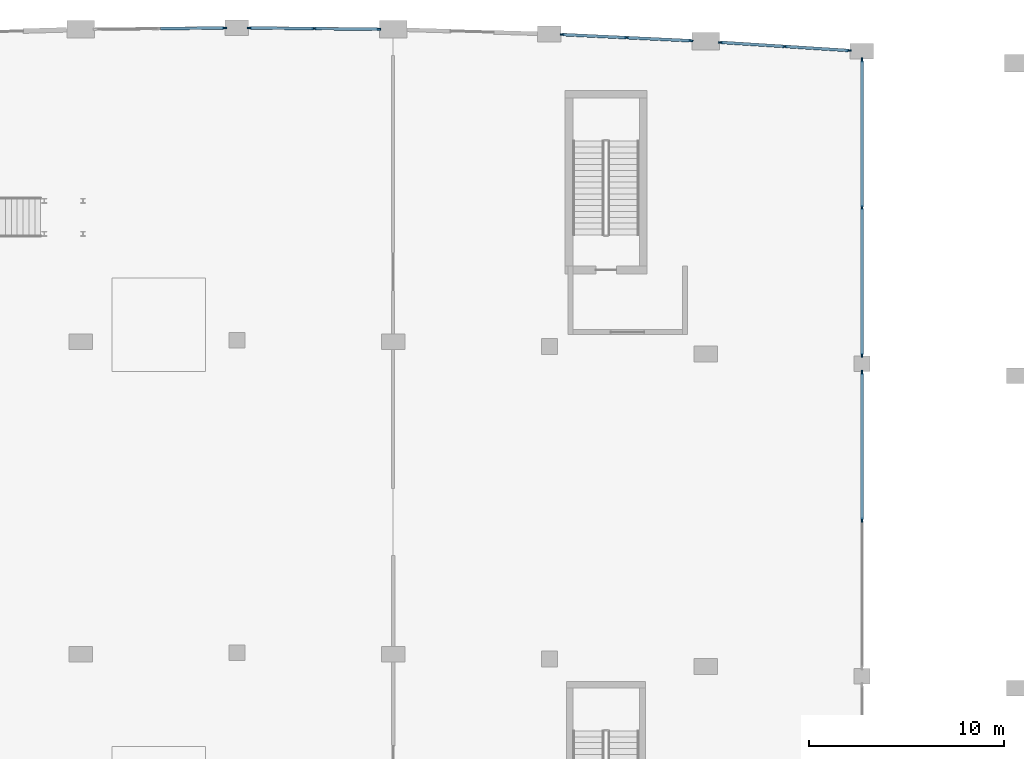
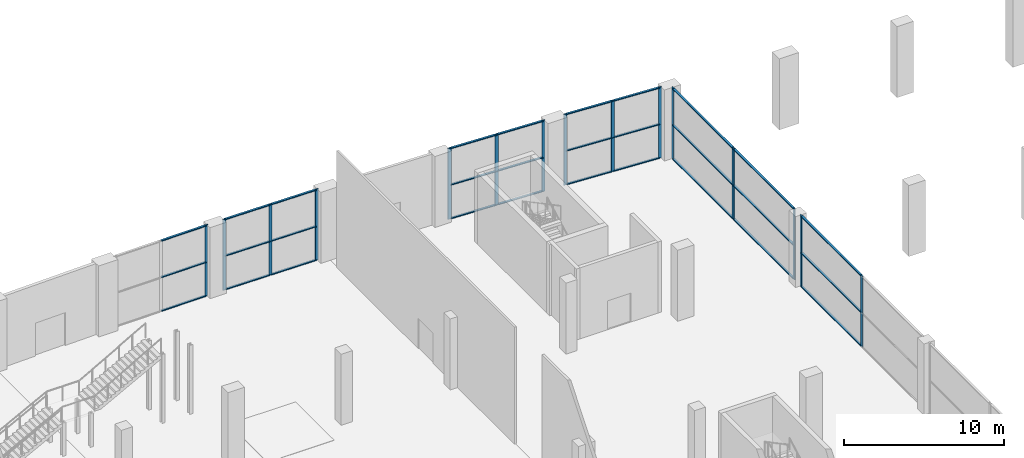
# One storey, part 34 of 86: 45 members, 6 elements without a shape of their own.
"""IFC4 building model written with IfcOpenShell, lengths in metres."""

from ifc_helpers import new_model, si_unit, direction, frame, origin, origin_2d, place, context, subcontext, project, spatial, rectangle, extrude, material, material_profile, profile_set, type_object, element, aggregate, save


model = new_model("IFC4")

# Units and contexts
model_context = context("Model", 3, precision=1e-05, world=origin(), true_north=direction((0.0, 1.0)))
body_context = subcontext(model_context, "Body", "Model", "MODEL_VIEW")
ifc_project = project(units=[si_unit("LENGTHUNIT", "METRE"), si_unit("AREAUNIT", "SQUARE_METRE"), si_unit("VOLUMEUNIT", "CUBIC_METRE"), si_unit("PLANEANGLEUNIT", "RADIAN"), si_unit("MASSUNIT", "GRAM", prefix="KILO")], contexts=[model_context])

# Site, building, storey
site_placement = place(None, origin())
site = spatial("IfcSite", under=ifc_project, at=site_placement, CompositionType="ELEMENT")
building_placement = place(site_placement, origin())
building = spatial("IfcBuilding", under=site, at=building_placement, Name="Kenh Van Central Station", CompositionType="ELEMENT")
storey_placement = place(building_placement, origin())
storey = spatial("IfcBuildingStorey", under=building, at=storey_placement, Name="L00", CompositionType="ELEMENT", Elevation=0.0)

# Curtain wall, members
ifc_material = material(Name="Champagne anodised aluminium", Category="aluminium")
curtain_wall_type = type_object("IfcCurtainWallType", Name="CW-HALL-B", PredefinedType="NOTDEFINED", material=ifc_material)
curtain_wall_1_placement = place(storey_placement, origin())
curtain_wall_1 = element("IfcCurtainWall", 1, at=curtain_wall_1_placement, inside=storey, type_object=curtain_wall_type, Name="L00 curtain wall 020", PredefinedType="NOTDEFINED")
ifc_material_profile_1 = material_profile(ifc_material, rectangle(XDim=0.08203125, YDim=0.22509765625, at=origin_2d()), Name="AL 82x225")
ifc_profile_set_1 = profile_set([ifc_material_profile_1], Name="Champagne anodised aluminium")
member_type_1 = type_object("IfcMemberType", Name="CWM-70x180", PredefinedType="MULLION", material=ifc_profile_set_1)
member_1_placement = place(storey_placement, frame((120.0, 89.9951171875, 0.0), z_axis=(0.0, 0.0, 1.0), x_axis=(-1.0, 0.0, 0.0)))
member_1 = element("IfcMember", 2, at=member_1_placement, type_object=member_type_1, Name="CW-02 mullion 2", PredefinedType="MULLION", context=body_context, shape_type="SweptSolid", body=[
    extrude(rectangle(XDim=0.08203125, YDim=0.22509765625, at=origin_2d()), origin(), (0.0, 0.0, 1.0), 5.39990234375),
])
member_2_placement = place(storey_placement, frame((120.0, 97.55419921875, 0.0), z_axis=(0.0, 0.0, 1.0), x_axis=(-1.0, 0.0, 0.0)))
member_2 = element("IfcMember", 3, at=member_2_placement, type_object=member_type_1, Name="CW-02 mullion 3", PredefinedType="MULLION", context=body_context, shape_type="SweptSolid", body=[
    extrude(rectangle(XDim=0.08203125, YDim=0.22509765625, at=origin_2d()), origin(), (0.0, 0.0, 1.0), 5.39990234375),
])

curtain_wall_2_placement = place(storey_placement, origin())
curtain_wall_2 = element("IfcCurtainWall", 4, at=curtain_wall_2_placement, inside=storey, type_object=curtain_wall_type, Name="L00 curtain wall 021", PredefinedType="NOTDEFINED")
member_3_placement = place(storey_placement, frame((120.0, 98.436279296875, 0.0), z_axis=(0.0, 0.0, 1.0), x_axis=(-1.0, 0.0, 0.0)))
member_3 = element("IfcMember", 5, at=member_3_placement, type_object=member_type_1, Name="CW-02 mullion 1", PredefinedType="MULLION", context=body_context, shape_type="SweptSolid", body=[
    extrude(rectangle(XDim=0.08203125, YDim=0.22509765625, at=origin_2d()), origin(), (0.0, 0.0, 1.0), 5.39990234375),
])
member_4_placement = place(storey_placement, frame((120.0, 105.9951171875, 0.0), z_axis=(0.0, 0.0, 1.0), x_axis=(-1.0, 0.0, 0.0)))
member_4 = element("IfcMember", 6, at=member_4_placement, type_object=member_type_1, Name="CW-02 mullion 2", PredefinedType="MULLION", context=body_context, shape_type="SweptSolid", body=[
    extrude(rectangle(XDim=0.08203125, YDim=0.22509765625, at=origin_2d()), origin(), (0.0, 0.0, 1.0), 5.39990234375),
])
member_5_placement = place(storey_placement, frame((120.0, 113.55419921875, 0.0), z_axis=(0.0, 0.0, 1.0), x_axis=(-1.0, 0.0, 0.0)))
member_5 = element("IfcMember", 7, at=member_5_placement, type_object=member_type_1, Name="CW-02 mullion 3", PredefinedType="MULLION", context=body_context, shape_type="SweptSolid", body=[
    extrude(rectangle(XDim=0.08203125, YDim=0.22509765625, at=origin_2d()), origin(), (0.0, 0.0, 1.0), 5.39990234375),
])

# Curtain wall, member
curtain_wall_3_placement = place(storey_placement, origin())
curtain_wall_3 = element("IfcCurtainWall", 8, at=curtain_wall_3_placement, inside=storey, type_object=curtain_wall_type, Name="L00 curtain wall 009", PredefinedType="NOTDEFINED")
ifc_material_profile_2 = material_profile(ifc_material, rectangle(XDim=0.080078125, YDim=0.219970703125, at=origin_2d()), Name="AL 80x220")
ifc_profile_set_2 = profile_set([ifc_material_profile_2], Name="Champagne anodised aluminium")
member_type_2 = type_object("IfcMemberType", Name="CWM-80x220", PredefinedType="MULLION", material=ifc_profile_set_2)
member_6_placement = place(storey_placement, frame((87.356201171875, 115.193603515625, 0.0), z_axis=(0.0, 0.0, 1.0), x_axis=(0.010011901592, -0.999949879657, 0.0)))
member_6 = element("IfcMember", 9, at=member_6_placement, type_object=member_type_2, Name="CW-02 mullion 1", PredefinedType="MULLION", context=body_context, shape_type="SweptSolid", body=[
    extrude(rectangle(XDim=0.080078125, YDim=0.219970703125, at=origin_2d()), origin(), (0.0, 0.0, 1.0), 5.39990234375),
])

# Curtain wall, members
curtain_wall_4_placement = place(storey_placement, origin())
curtain_wall_4 = element("IfcCurtainWall", 10, at=curtain_wall_4_placement, inside=storey, type_object=curtain_wall_type, Name="L00 curtain wall 011", PredefinedType="NOTDEFINED")
member_7_placement = place(storey_placement, frame((95.255615234375, 115.127197265625, 0.0), z_axis=(0.0, 0.0, 1.0), x_axis=(-0.010011901592, -0.999949879657, 0.0)))
member_7 = element("IfcMember", 11, at=member_7_placement, type_object=member_type_2, Name="CW-02 mullion 1", PredefinedType="MULLION", context=body_context, shape_type="SweptSolid", body=[
    extrude(rectangle(XDim=0.080078125, YDim=0.219970703125, at=origin_2d()), origin(), (0.0, 0.0, 1.0), 5.39990234375),
])
member_8_placement = place(storey_placement, frame((91.94970703125, 115.160400390625, 0.0), z_axis=(0.0, 0.0, 1.0), x_axis=(-0.010011901592, -0.999949879657, 0.0)))
member_8 = element("IfcMember", 12, at=member_8_placement, type_object=member_type_2, Name="CW-02 mullion 2", PredefinedType="MULLION", context=body_context, shape_type="SweptSolid", body=[
    extrude(rectangle(XDim=0.080078125, YDim=0.219970703125, at=origin_2d()), origin(), (0.0, 0.0, 1.0), 5.39990234375),
])
member_9_placement = place(storey_placement, frame((88.643798828125, 115.193603515625, 0.0), z_axis=(0.0, 0.0, 1.0), x_axis=(-0.010011901592, -0.999949879657, 0.0)))
member_9 = element("IfcMember", 13, at=member_9_placement, type_object=member_type_2, Name="CW-02 mullion 3", PredefinedType="MULLION", context=body_context, shape_type="SweptSolid", body=[
    extrude(rectangle(XDim=0.080078125, YDim=0.219970703125, at=origin_2d()), origin(), (0.0, 0.0, 1.0), 5.39990234375),
])

curtain_wall_5_placement = place(storey_placement, origin())
curtain_wall_5 = element("IfcCurtainWall", 14, at=curtain_wall_5_placement, inside=storey, type_object=curtain_wall_type, Name="L00 curtain wall 013", PredefinedType="NOTDEFINED")
member_10_placement = place(storey_placement, frame((111.240234375, 114.5380859375, 0.0), z_axis=(0.0, 0.0, 1.0), x_axis=(-0.047600764745, -0.99886644112, 0.0)))
member_10 = element("IfcMember", 15, at=member_10_placement, type_object=member_type_2, Name="CW-02 mullion 1", PredefinedType="MULLION", context=body_context, shape_type="SweptSolid", body=[
    extrude(rectangle(XDim=0.080078125, YDim=0.219970703125, at=origin_2d()), origin(), (0.0, 0.0, 1.0), 5.39990234375),
])
member_11_placement = place(storey_placement, frame((107.948974609375, 114.695068359375, 0.0), z_axis=(0.0, 0.0, 1.0), x_axis=(-0.047600764745, -0.99886644112, 0.0)))
member_11 = element("IfcMember", 16, at=member_11_placement, type_object=member_type_2, Name="CW-02 mullion 2", PredefinedType="MULLION", context=body_context, shape_type="SweptSolid", body=[
    extrude(rectangle(XDim=0.080078125, YDim=0.219970703125, at=origin_2d()), origin(), (0.0, 0.0, 1.0), 5.39990234375),
])
member_12_placement = place(storey_placement, frame((104.65771484375, 114.851806640625, 0.0), z_axis=(0.0, 0.0, 1.0), x_axis=(-0.047600764745, -0.99886644112, 0.0)))
member_12 = element("IfcMember", 17, at=member_12_placement, type_object=member_type_2, Name="CW-02 mullion 3", PredefinedType="MULLION", context=body_context, shape_type="SweptSolid", body=[
    extrude(rectangle(XDim=0.080078125, YDim=0.219970703125, at=origin_2d()), origin(), (0.0, 0.0, 1.0), 5.39990234375),
])

curtain_wall_6_placement = place(storey_placement, origin())
curtain_wall_6 = element("IfcCurtainWall", 18, at=curtain_wall_6_placement, inside=storey, type_object=curtain_wall_type, Name="L00 curtain wall 015", PredefinedType="NOTDEFINED")
member_13_placement = place(storey_placement, frame((119.337158203125, 114.037109375, 0.0), z_axis=(0.0, 0.0, 1.0), x_axis=(-0.063211477724, -0.998000154852, 0.0)))
member_13 = element("IfcMember", 19, at=member_13_placement, type_object=member_type_2, Name="CW-02 mullion 1", PredefinedType="MULLION", context=body_context, shape_type="SweptSolid", body=[
    extrude(rectangle(XDim=0.080078125, YDim=0.219970703125, at=origin_2d()), origin(), (0.0, 0.0, 1.0), 5.39990234375),
])
member_14_placement = place(storey_placement, frame((116.051513671875, 114.245361328125, 0.0), z_axis=(0.0, 0.0, 1.0), x_axis=(-0.063211477724, -0.998000154852, 0.0)))
member_14 = element("IfcMember", 20, at=member_14_placement, type_object=member_type_2, Name="CW-02 mullion 2", PredefinedType="MULLION", context=body_context, shape_type="SweptSolid", body=[
    extrude(rectangle(XDim=0.080078125, YDim=0.219970703125, at=origin_2d()), origin(), (0.0, 0.0, 1.0), 5.39990234375),
])
member_15_placement = place(storey_placement, frame((112.765625, 114.453369140625, 0.0), z_axis=(0.0, 0.0, 1.0), x_axis=(-0.063211477724, -0.998000154852, 0.0)))
member_15 = element("IfcMember", 21, at=member_15_placement, type_object=member_type_2, Name="CW-02 mullion 3", PredefinedType="MULLION", context=body_context, shape_type="SweptSolid", body=[
    extrude(rectangle(XDim=0.080078125, YDim=0.219970703125, at=origin_2d()), origin(), (0.0, 0.0, 1.0), 5.39990234375),
])

# Member
ifc_material_profile_3 = material_profile(ifc_material, rectangle(XDim=0.14990234375, YDim=0.070068359375, at=origin_2d()), Name="AL 150x70")
ifc_profile_set_3 = profile_set([ifc_material_profile_3], Name="Champagne anodised aluminium")
member_type_3 = type_object("IfcMemberType", Name="CWT-150x70", PredefinedType="USERDEFINED", material=ifc_profile_set_3)
member_16_placement = place(storey_placement, frame((87.316162109375, 115.193115234375, 0.034912109375), z_axis=(-0.999950102075, -0.009989662717, 0.0), x_axis=(0.009989662717, -0.999950102075, 0.0)))
member_16 = element("IfcMember", 22, at=member_16_placement, type_object=member_type_3, Name="CW-02 transom 1.1", ObjectType="TRANSOM", PredefinedType="USERDEFINED", context=body_context, shape_type="SweptSolid", body=[
    extrude(rectangle(XDim=0.14990234375, YDim=0.070068359375, at=origin_2d()), origin(), (0.0, 0.0, 1.0), 3.22607421875),
])

member_17_placement = place(storey_placement, frame((87.316162109375, 115.193115234375, 2.592041015625), z_axis=(-0.999950102075, -0.009989662717, 0.0), x_axis=(0.009989662717, -0.999950102075, 0.0)))
member_17 = element("IfcMember", 23, at=member_17_placement, type_object=member_type_3, Name="CW-02 transom 1.2", ObjectType="TRANSOM", PredefinedType="USERDEFINED", context=body_context, shape_type="SweptSolid", body=[
    extrude(rectangle(XDim=0.14990234375, YDim=0.070068359375, at=origin_2d()), origin(), (0.0, 0.0, 1.0), 3.22607421875),
])

member_18_placement = place(storey_placement, frame((87.316162109375, 115.193115234375, 5.364990234375), z_axis=(-0.999950102075, -0.009989662717, 0.0), x_axis=(0.009989662717, -0.999950102075, 0.0)))
member_18 = element("IfcMember", 24, at=member_18_placement, type_object=member_type_3, Name="CW-02 transom 1.3", ObjectType="TRANSOM", PredefinedType="USERDEFINED", context=body_context, shape_type="SweptSolid", body=[
    extrude(rectangle(XDim=0.14990234375, YDim=0.070068359375, at=origin_2d()), origin(), (0.0, 0.0, 1.0), 3.22607421875),
])

aggregate(curtain_wall_3, [member_6, member_16, member_17, member_18])

member_19_placement = place(storey_placement, frame((95.215576171875, 115.127685546875, 0.034912109375), z_axis=(-0.999950102075, 0.009989662717, 0.0), x_axis=(-0.009989662717, -0.999950102075, 0.0)))
member_19 = element("IfcMember", 25, at=member_19_placement, type_object=member_type_3, Name="CW-02 transom 1.1", ObjectType="TRANSOM", PredefinedType="USERDEFINED", context=body_context, shape_type="SweptSolid", body=[
    extrude(rectangle(XDim=0.14990234375, YDim=0.070068359375, at=origin_2d()), origin(), (0.0, 0.0, 1.0), 3.22607421875),
])

member_20_placement = place(storey_placement, frame((95.215576171875, 115.127685546875, 2.592041015625), z_axis=(-0.999950102075, 0.009989662717, 0.0), x_axis=(-0.009989662717, -0.999950102075, 0.0)))
member_20 = element("IfcMember", 26, at=member_20_placement, type_object=member_type_3, Name="CW-02 transom 1.2", ObjectType="TRANSOM", PredefinedType="USERDEFINED", context=body_context, shape_type="SweptSolid", body=[
    extrude(rectangle(XDim=0.14990234375, YDim=0.070068359375, at=origin_2d()), origin(), (0.0, 0.0, 1.0), 3.22607421875),
])

member_21_placement = place(storey_placement, frame((95.215576171875, 115.127685546875, 5.364990234375), z_axis=(-0.999950102075, 0.009989662717, 0.0), x_axis=(-0.009989662717, -0.999950102075, 0.0)))
member_21 = element("IfcMember", 27, at=member_21_placement, type_object=member_type_3, Name="CW-02 transom 1.3", ObjectType="TRANSOM", PredefinedType="USERDEFINED", context=body_context, shape_type="SweptSolid", body=[
    extrude(rectangle(XDim=0.14990234375, YDim=0.070068359375, at=origin_2d()), origin(), (0.0, 0.0, 1.0), 3.22607421875),
])

member_22_placement = place(storey_placement, frame((91.90966796875, 115.160888671875, 0.034912109375), z_axis=(-0.999950102075, 0.009989662717, 0.0), x_axis=(-0.009989662717, -0.999950102075, 0.0)))
member_22 = element("IfcMember", 28, at=member_22_placement, type_object=member_type_3, Name="CW-02 transom 2.1", ObjectType="TRANSOM", PredefinedType="USERDEFINED", context=body_context, shape_type="SweptSolid", body=[
    extrude(rectangle(XDim=0.14990234375, YDim=0.070068359375, at=origin_2d()), origin(), (0.0, 0.0, 1.0), 3.22607421875),
])

member_23_placement = place(storey_placement, frame((91.90966796875, 115.160888671875, 2.592041015625), z_axis=(-0.999950102075, 0.009989662717, 0.0), x_axis=(-0.009989662717, -0.999950102075, 0.0)))
member_23 = element("IfcMember", 29, at=member_23_placement, type_object=member_type_3, Name="CW-02 transom 2.2", ObjectType="TRANSOM", PredefinedType="USERDEFINED", context=body_context, shape_type="SweptSolid", body=[
    extrude(rectangle(XDim=0.14990234375, YDim=0.070068359375, at=origin_2d()), origin(), (0.0, 0.0, 1.0), 3.22607421875),
])

member_24_placement = place(storey_placement, frame((91.90966796875, 115.160888671875, 5.364990234375), z_axis=(-0.999950102075, 0.009989662717, 0.0), x_axis=(-0.009989662717, -0.999950102075, 0.0)))
member_24 = element("IfcMember", 30, at=member_24_placement, type_object=member_type_3, Name="CW-02 transom 2.3", ObjectType="TRANSOM", PredefinedType="USERDEFINED", context=body_context, shape_type="SweptSolid", body=[
    extrude(rectangle(XDim=0.14990234375, YDim=0.070068359375, at=origin_2d()), origin(), (0.0, 0.0, 1.0), 3.22607421875),
])

aggregate(curtain_wall_4, [member_7, member_8, member_9, member_19, member_20, member_21, member_22, member_23, member_24])

member_25_placement = place(storey_placement, frame((111.2001953125, 114.5400390625, 0.034912109375), z_axis=(-0.998865731043, 0.047615662842, 0.0), x_axis=(-0.047615662842, -0.998865731043, 0.0)))
member_25 = element("IfcMember", 31, at=member_25_placement, type_object=member_type_3, Name="CW-02 transom 1.1", ObjectType="TRANSOM", PredefinedType="USERDEFINED", context=body_context, shape_type="SweptSolid", body=[
    extrude(rectangle(XDim=0.14990234375, YDim=0.070068359375, at=origin_2d()), origin(), (0.0, 0.0, 1.0), 3.21484375),
])

member_26_placement = place(storey_placement, frame((111.2001953125, 114.5400390625, 2.592041015625), z_axis=(-0.998865731043, 0.047615662842, 0.0), x_axis=(-0.047615662842, -0.998865731043, 0.0)))
member_26 = element("IfcMember", 32, at=member_26_placement, type_object=member_type_3, Name="CW-02 transom 1.2", ObjectType="TRANSOM", PredefinedType="USERDEFINED", context=body_context, shape_type="SweptSolid", body=[
    extrude(rectangle(XDim=0.14990234375, YDim=0.070068359375, at=origin_2d()), origin(), (0.0, 0.0, 1.0), 3.21484375),
])

member_27_placement = place(storey_placement, frame((111.2001953125, 114.5400390625, 5.364990234375), z_axis=(-0.998865731043, 0.047615662842, 0.0), x_axis=(-0.047615662842, -0.998865731043, 0.0)))
member_27 = element("IfcMember", 33, at=member_27_placement, type_object=member_type_3, Name="CW-02 transom 1.3", ObjectType="TRANSOM", PredefinedType="USERDEFINED", context=body_context, shape_type="SweptSolid", body=[
    extrude(rectangle(XDim=0.14990234375, YDim=0.070068359375, at=origin_2d()), origin(), (0.0, 0.0, 1.0), 3.21484375),
])

member_28_placement = place(storey_placement, frame((107.908935546875, 114.69677734375, 0.034912109375), z_axis=(-0.998865903203, 0.047612051187, 0.0), x_axis=(-0.047612051187, -0.998865903203, 0.0)))
member_28 = element("IfcMember", 34, at=member_28_placement, type_object=member_type_3, Name="CW-02 transom 2.1", ObjectType="TRANSOM", PredefinedType="USERDEFINED", context=body_context, shape_type="SweptSolid", body=[
    extrude(rectangle(XDim=0.14990234375, YDim=0.070068359375, at=origin_2d()), origin(), (0.0, 0.0, 1.0), 3.215087890625),
])

member_29_placement = place(storey_placement, frame((107.908935546875, 114.69677734375, 2.592041015625), z_axis=(-0.998865903203, 0.047612051187, 0.0), x_axis=(-0.047612051187, -0.998865903203, 0.0)))
member_29 = element("IfcMember", 35, at=member_29_placement, type_object=member_type_3, Name="CW-02 transom 2.2", ObjectType="TRANSOM", PredefinedType="USERDEFINED", context=body_context, shape_type="SweptSolid", body=[
    extrude(rectangle(XDim=0.14990234375, YDim=0.070068359375, at=origin_2d()), origin(), (0.0, 0.0, 1.0), 3.215087890625),
])

member_30_placement = place(storey_placement, frame((107.908935546875, 114.69677734375, 5.364990234375), z_axis=(-0.998865903203, 0.047612051187, 0.0), x_axis=(-0.047612051187, -0.998865903203, 0.0)))
member_30 = element("IfcMember", 36, at=member_30_placement, type_object=member_type_3, Name="CW-02 transom 2.3", ObjectType="TRANSOM", PredefinedType="USERDEFINED", context=body_context, shape_type="SweptSolid", body=[
    extrude(rectangle(XDim=0.14990234375, YDim=0.070068359375, at=origin_2d()), origin(), (0.0, 0.0, 1.0), 3.215087890625),
])

aggregate(curtain_wall_5, [member_10, member_11, member_12, member_25, member_26, member_27, member_28, member_29, member_30])

member_31_placement = place(storey_placement, frame((119.29736328125, 114.03955078125, 0.034912109375), z_axis=(-0.997998987314, 0.063229908426, 0.0), x_axis=(-0.063229908426, -0.997998987314, 0.0)))
member_31 = element("IfcMember", 37, at=member_31_placement, type_object=member_type_3, Name="CW-02 transom 1.1", ObjectType="TRANSOM", PredefinedType="USERDEFINED", context=body_context, shape_type="SweptSolid", body=[
    extrude(rectangle(XDim=0.14990234375, YDim=0.070068359375, at=origin_2d()), origin(), (0.0, 0.0, 1.0), 3.21240234375),
])

member_32_placement = place(storey_placement, frame((119.29736328125, 114.03955078125, 2.592041015625), z_axis=(-0.997998987314, 0.063229908426, 0.0), x_axis=(-0.063229908426, -0.997998987314, 0.0)))
member_32 = element("IfcMember", 38, at=member_32_placement, type_object=member_type_3, Name="CW-02 transom 1.2", ObjectType="TRANSOM", PredefinedType="USERDEFINED", context=body_context, shape_type="SweptSolid", body=[
    extrude(rectangle(XDim=0.14990234375, YDim=0.070068359375, at=origin_2d()), origin(), (0.0, 0.0, 1.0), 3.21240234375),
])

member_33_placement = place(storey_placement, frame((119.29736328125, 114.03955078125, 5.364990234375), z_axis=(-0.997998987314, 0.063229908426, 0.0), x_axis=(-0.063229908426, -0.997998987314, 0.0)))
member_33 = element("IfcMember", 39, at=member_33_placement, type_object=member_type_3, Name="CW-02 transom 1.3", ObjectType="TRANSOM", PredefinedType="USERDEFINED", context=body_context, shape_type="SweptSolid", body=[
    extrude(rectangle(XDim=0.14990234375, YDim=0.070068359375, at=origin_2d()), origin(), (0.0, 0.0, 1.0), 3.21240234375),
])

member_34_placement = place(storey_placement, frame((116.011474609375, 114.247802734375, 0.034912109375), z_axis=(-0.997998987314, 0.063229908426, 0.0), x_axis=(-0.063229908426, -0.997998987314, 0.0)))
member_34 = element("IfcMember", 40, at=member_34_placement, type_object=member_type_3, Name="CW-02 transom 2.1", ObjectType="TRANSOM", PredefinedType="USERDEFINED", context=body_context, shape_type="SweptSolid", body=[
    extrude(rectangle(XDim=0.14990234375, YDim=0.070068359375, at=origin_2d()), origin(), (0.0, 0.0, 1.0), 3.21240234375),
])

member_35_placement = place(storey_placement, frame((116.011474609375, 114.247802734375, 2.592041015625), z_axis=(-0.997998987314, 0.063229908426, 0.0), x_axis=(-0.063229908426, -0.997998987314, 0.0)))
member_35 = element("IfcMember", 41, at=member_35_placement, type_object=member_type_3, Name="CW-02 transom 2.2", ObjectType="TRANSOM", PredefinedType="USERDEFINED", context=body_context, shape_type="SweptSolid", body=[
    extrude(rectangle(XDim=0.14990234375, YDim=0.070068359375, at=origin_2d()), origin(), (0.0, 0.0, 1.0), 3.21240234375),
])

member_36_placement = place(storey_placement, frame((116.011474609375, 114.247802734375, 5.364990234375), z_axis=(-0.997998987314, 0.063229908426, 0.0), x_axis=(-0.063229908426, -0.997998987314, 0.0)))
member_36 = element("IfcMember", 42, at=member_36_placement, type_object=member_type_3, Name="CW-02 transom 2.3", ObjectType="TRANSOM", PredefinedType="USERDEFINED", context=body_context, shape_type="SweptSolid", body=[
    extrude(rectangle(XDim=0.14990234375, YDim=0.070068359375, at=origin_2d()), origin(), (0.0, 0.0, 1.0), 3.21240234375),
])

aggregate(curtain_wall_6, [member_13, member_14, member_15, member_31, member_32, member_33, member_34, member_35, member_36])

member_37_placement = place(storey_placement, frame((120.0, 90.0361328125, 0.034912109375), z_axis=(0.0, 1.0, 0.0), x_axis=(-1.0, 0.0, 0.0)))
member_37 = element("IfcMember", 43, at=member_37_placement, type_object=member_type_3, Name="CW-02 transom 2.1", ObjectType="TRANSOM", PredefinedType="USERDEFINED", context=body_context, shape_type="SweptSolid", body=[
    extrude(rectangle(XDim=0.14990234375, YDim=0.070068359375, at=origin_2d()), origin(), (0.0, 0.0, 1.0), 7.47705078125),
])

member_38_placement = place(storey_placement, frame((120.0, 90.0361328125, 2.592041015625), z_axis=(0.0, 1.0, 0.0), x_axis=(-1.0, 0.0, 0.0)))
member_38 = element("IfcMember", 44, at=member_38_placement, type_object=member_type_3, Name="CW-02 transom 2.2", ObjectType="TRANSOM", PredefinedType="USERDEFINED", context=body_context, shape_type="SweptSolid", body=[
    extrude(rectangle(XDim=0.14990234375, YDim=0.070068359375, at=origin_2d()), origin(), (0.0, 0.0, 1.0), 7.47705078125),
])

member_39_placement = place(storey_placement, frame((120.0, 90.0361328125, 5.364990234375), z_axis=(0.0, 1.0, 0.0), x_axis=(-1.0, 0.0, 0.0)))
member_39 = element("IfcMember", 45, at=member_39_placement, type_object=member_type_3, Name="CW-02 transom 2.3", ObjectType="TRANSOM", PredefinedType="USERDEFINED", context=body_context, shape_type="SweptSolid", body=[
    extrude(rectangle(XDim=0.14990234375, YDim=0.070068359375, at=origin_2d()), origin(), (0.0, 0.0, 1.0), 7.47705078125),
])

aggregate(curtain_wall_1, [member_1, member_2, member_37, member_38, member_39])

member_40_placement = place(storey_placement, frame((120.0, 98.477294921875, 0.034912109375), z_axis=(0.0, 1.0, 0.0), x_axis=(-1.0, 0.0, 0.0)))
member_40 = element("IfcMember", 46, at=member_40_placement, type_object=member_type_3, Name="CW-02 transom 1.1", ObjectType="TRANSOM", PredefinedType="USERDEFINED", context=body_context, shape_type="SweptSolid", body=[
    extrude(rectangle(XDim=0.14990234375, YDim=0.070068359375, at=origin_2d()), origin(), (0.0, 0.0, 1.0), 7.476806640625),
])

member_41_placement = place(storey_placement, frame((120.0, 98.477294921875, 2.592041015625), z_axis=(0.0, 1.0, 0.0), x_axis=(-1.0, 0.0, 0.0)))
member_41 = element("IfcMember", 47, at=member_41_placement, type_object=member_type_3, Name="CW-02 transom 1.2", ObjectType="TRANSOM", PredefinedType="USERDEFINED", context=body_context, shape_type="SweptSolid", body=[
    extrude(rectangle(XDim=0.14990234375, YDim=0.070068359375, at=origin_2d()), origin(), (0.0, 0.0, 1.0), 7.476806640625),
])

member_42_placement = place(storey_placement, frame((120.0, 98.477294921875, 5.364990234375), z_axis=(0.0, 1.0, 0.0), x_axis=(-1.0, 0.0, 0.0)))
member_42 = element("IfcMember", 48, at=member_42_placement, type_object=member_type_3, Name="CW-02 transom 1.3", ObjectType="TRANSOM", PredefinedType="USERDEFINED", context=body_context, shape_type="SweptSolid", body=[
    extrude(rectangle(XDim=0.14990234375, YDim=0.070068359375, at=origin_2d()), origin(), (0.0, 0.0, 1.0), 7.476806640625),
])

member_43_placement = place(storey_placement, frame((120.0, 106.0361328125, 0.034912109375), z_axis=(0.0, 1.0, 0.0), x_axis=(-1.0, 0.0, 0.0)))
member_43 = element("IfcMember", 49, at=member_43_placement, type_object=member_type_3, Name="CW-02 transom 2.1", ObjectType="TRANSOM", PredefinedType="USERDEFINED", context=body_context, shape_type="SweptSolid", body=[
    extrude(rectangle(XDim=0.14990234375, YDim=0.070068359375, at=origin_2d()), origin(), (0.0, 0.0, 1.0), 7.47705078125),
])

member_44_placement = place(storey_placement, frame((120.0, 106.0361328125, 2.592041015625), z_axis=(0.0, 1.0, 0.0), x_axis=(-1.0, 0.0, 0.0)))
member_44 = element("IfcMember", 50, at=member_44_placement, type_object=member_type_3, Name="CW-02 transom 2.2", ObjectType="TRANSOM", PredefinedType="USERDEFINED", context=body_context, shape_type="SweptSolid", body=[
    extrude(rectangle(XDim=0.14990234375, YDim=0.070068359375, at=origin_2d()), origin(), (0.0, 0.0, 1.0), 7.47705078125),
])

member_45_placement = place(storey_placement, frame((120.0, 106.0361328125, 5.364990234375), z_axis=(0.0, 1.0, 0.0), x_axis=(-1.0, 0.0, 0.0)))
member_45 = element("IfcMember", 51, at=member_45_placement, type_object=member_type_3, Name="CW-02 transom 2.3", ObjectType="TRANSOM", PredefinedType="USERDEFINED", context=body_context, shape_type="SweptSolid", body=[
    extrude(rectangle(XDim=0.14990234375, YDim=0.070068359375, at=origin_2d()), origin(), (0.0, 0.0, 1.0), 7.47705078125),
])

aggregate(curtain_wall_2, [member_3, member_4, member_5, member_40, member_41, member_42, member_43, member_44, member_45])

save(model, "model.ifc")
